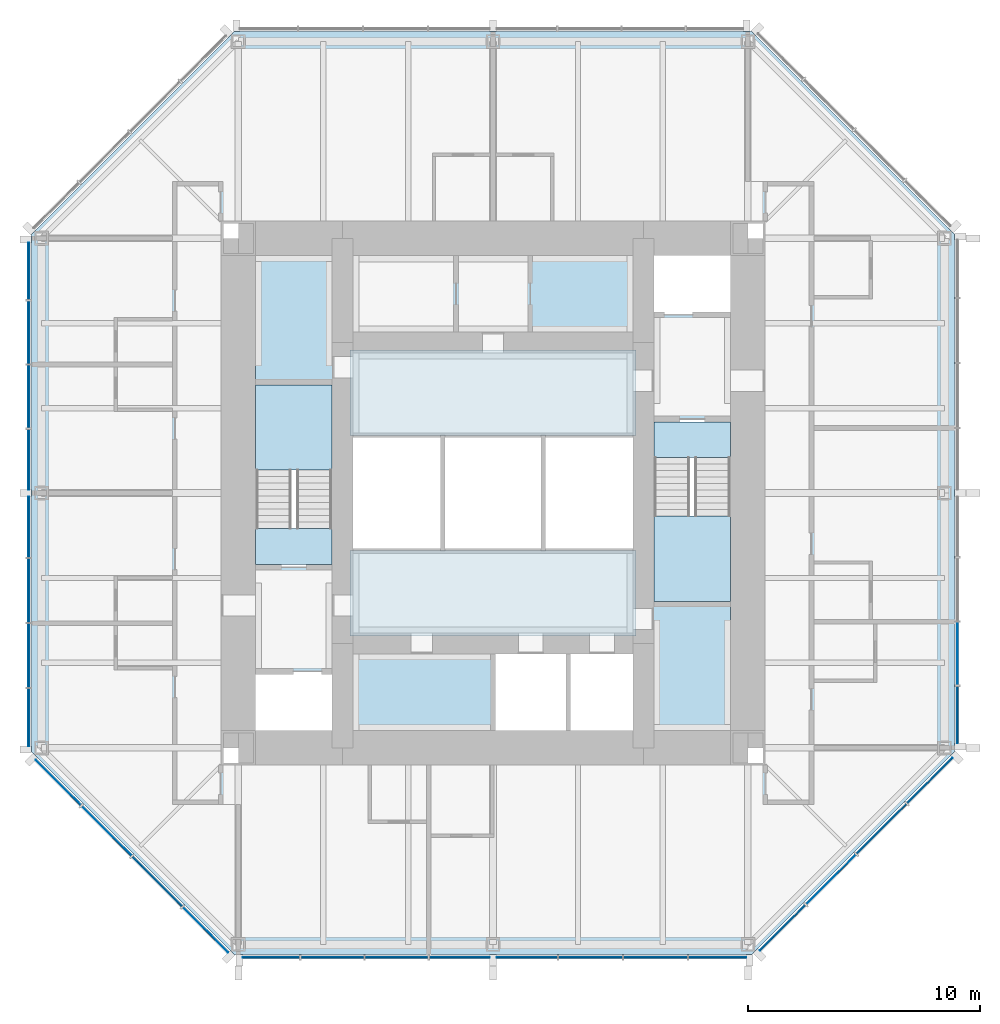
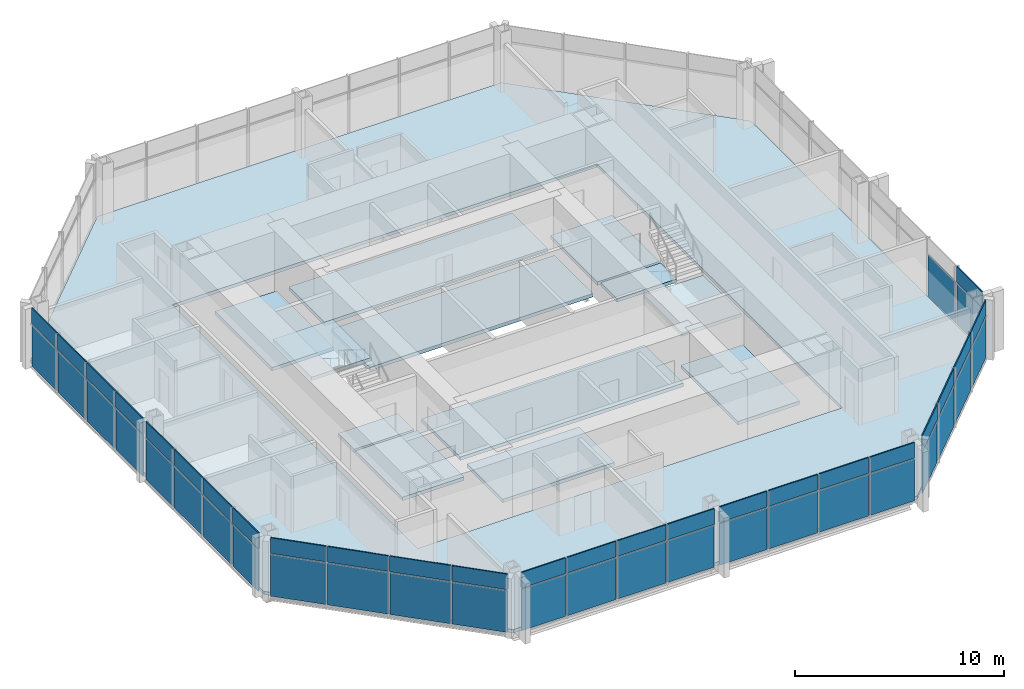
# One storey, part 6 of 11: 51 plates, 13 slabs, 7 elements without a shape of their own.
"""IFC4 building model written with IfcOpenShell, lengths in metres."""

import ifcopenshell
import ifcopenshell.guid

model = None  # the IFC model being written
_history = None  # IfcOwnerHistory: only IFC2X3 demands one
_inside = {}  # id of a spatial element -> (the spatial element, [elements in it])
_under = {}  # id of a project, library or spatial element -> (it, [spatial elements below it])
_declared = {}  # id of a project -> (the project, [libraries it declares])
_typed = {}  # id of a type object -> (the type object, [elements of that type])
_made_of = {}  # id of a material, layer set ... -> (it, [elements and type objects made of it])


def new_model(schema):
    """Start an empty IFC model of exactly this schema.

    Asked for "IFC4X3", IfcOpenShell would pick the latest addendum, in which some entities
    have other attributes; the version numbers below select the first issue.
    IFC2X3 requires an IfcOwnerHistory on every rooted entity: one is made here for all.
    """
    global model, _history
    if schema == "IFC4X3":
        model = ifcopenshell.file(schema_version=(4, 3, 0, 0))
    else:
        model = ifcopenshell.file(schema=schema)
    _inside.clear()
    _under.clear()
    _declared.clear()
    _typed.clear()
    _made_of.clear()
    _history = None
    if model.schema == "IFC2X3":
        org = make("IfcOrganization", Name="unknown")
        user = make(
            "IfcPersonAndOrganization",
            ThePerson=make("IfcPerson", FamilyName="unknown"),
            TheOrganization=org,
        )
        app = make(
            "IfcApplication",
            ApplicationDeveloper=org,
            Version="unknown",
            ApplicationFullName="unknown",
            ApplicationIdentifier="unknown",
        )
        _history = make(
            "IfcOwnerHistory",
            OwningUser=user,
            OwningApplication=app,
            ChangeAction="ADDED",
            CreationDate=0,
        )
    return model


def make(cls, **values):
    """One entity of the class cls with the attributes given. An attribute that is None is left unset."""
    return model.create_entity(
        cls, **{name: value for name, value in values.items() if value is not None}
    )


def rooted(cls, **values):
    """An entity with a GlobalId (a new one), such as an element, a storey or a relation."""
    return make(cls, GlobalId=ifcopenshell.guid.new(), OwnerHistory=_history, **values)


def si_unit(unit_type, name, prefix=None):
    """IfcSIUnit, for example si_unit("LENGTHUNIT", "METRE", prefix="MILLI")."""
    return make("IfcSIUnit", UnitType=unit_type, Prefix=prefix, Name=name)


def assignment(units):
    """IfcUnitAssignment: the units of a project."""
    return None if units is None else make("IfcUnitAssignment", Units=units)


def point(xyz):
    """IfcCartesianPoint."""
    return None if xyz is None else make("IfcCartesianPoint", Coordinates=xyz)


def direction(xyz):
    """IfcDirection."""
    return None if xyz is None else make("IfcDirection", DirectionRatios=xyz)


def frame(location, z_axis=None, x_axis=None):
    """IfcAxis2Placement3D, a coordinate frame: its origin and axes. An axis left out is left unset."""
    return make(
        "IfcAxis2Placement3D",
        Location=point(location),
        Axis=direction(z_axis),
        RefDirection=direction(x_axis),
    )


def frame_2d(location, x_axis=None):
    """IfcAxis2Placement2D, a coordinate frame in the plane: its origin and x axis."""
    return make(
        "IfcAxis2Placement2D", Location=point(location), RefDirection=direction(x_axis)
    )


def origin():
    """The frame at (0, 0, 0) with its axes left unset."""
    return frame((0.0, 0.0, 0.0))


def origin_2d():
    """The frame at (0, 0) in the plane with its x axis left unset."""
    return frame_2d((0.0, 0.0))


def place(relative_to, where):
    """IfcLocalPlacement: puts the frame where relative to a parent placement (None: the world)."""
    return make(
        "IfcLocalPlacement", PlacementRelTo=relative_to, RelativePlacement=where
    )


def context(
    kind, dimensions, precision=None, world=None, true_north=None, identifier=None
):
    """IfcGeometricRepresentationContext, for example the 3D "Model" context."""
    return make(
        "IfcGeometricRepresentationContext",
        ContextIdentifier=identifier,
        ContextType=kind,
        CoordinateSpaceDimension=dimensions,
        Precision=precision,
        WorldCoordinateSystem=world,
        TrueNorth=true_north,
    )


def subcontext(parent, identifier, kind, view, scale=None):
    """IfcGeometricRepresentationSubContext, for example "Body" below "Model"."""
    return make(
        "IfcGeometricRepresentationSubContext",
        ContextIdentifier=identifier,
        ContextType=kind,
        ParentContext=parent,
        TargetScale=scale,
        TargetView=view,
    )


def project(units=None, contexts=None):
    """IfcProject with its units and contexts."""
    return rooted(
        "IfcProject",
        Name="project",
        RepresentationContexts=contexts,
        UnitsInContext=assignment(units),
    )


def spatial(cls, under=None, at=None, **own):
    """A site, building, storey or space (cls), placed at a placement, below another one or the project."""
    s = rooted(cls, ObjectPlacement=at, **own)
    if under is not None:
        _under.setdefault(under.id(), (under, []))[1].append(s)
    return s


def polyline(points):
    """IfcPolyline through the points."""
    return make("IfcPolyline", Points=[point(p) for p in points])


def profile(cls, at=None, kind="AREA", **sizes):
    """A parametric profile (cls). Its sizes go by their IFC names, for example OverallWidth=200.0."""
    return make(cls, ProfileType=kind, Position=at, **sizes)


def rectangle(**sizes):
    """IfcRectangleProfileDef."""
    return profile("IfcRectangleProfileDef", **sizes)


def outline(outer, holes=None, kind="AREA"):
    """IfcArbitraryClosedProfileDef: a profile drawn as a closed curve; with holes, ...WithVoids."""
    if holes is None:
        return make("IfcArbitraryClosedProfileDef", ProfileType=kind, OuterCurve=outer)
    return make(
        "IfcArbitraryProfileDefWithVoids",
        ProfileType=kind,
        OuterCurve=outer,
        InnerCurves=holes,
    )


def extrude(swept, where, along, depth):
    """IfcExtrudedAreaSolid: the profile swept, set in the frame where, extruded along a direction by depth."""
    return make(
        "IfcExtrudedAreaSolid",
        SweptArea=swept,
        Position=where,
        ExtrudedDirection=direction(along),
        Depth=depth,
    )


def shape(context_of_items, identifier, shape_type, items):
    """IfcShapeRepresentation: the items that make up one representation, for example the "Body"."""
    return make(
        "IfcShapeRepresentation",
        ContextOfItems=context_of_items,
        RepresentationIdentifier=identifier,
        RepresentationType=shape_type,
        Items=items,
    )


def material(Name=None, Category=None):
    """IfcMaterial."""
    return make("IfcMaterial", Name=Name, Category=Category)


def layer(
    of_material, thickness, ventilated=None, Name=None, Category=None, Priority=None
):
    """IfcMaterialLayer: one layer of a wall or slab, of a material (None: an air gap)."""
    return make(
        "IfcMaterialLayer",
        Material=of_material,
        LayerThickness=thickness,
        IsVentilated=ventilated,
        Name=Name,
        Category=Category,
        Priority=Priority,
    )


def layer_set(layers, Name=None):
    """IfcMaterialLayerSet."""
    return make("IfcMaterialLayerSet", MaterialLayers=layers, LayerSetName=Name)


def made_of(thing, what):
    """Note that an element or type object is made of a material, layer set ...; save() writes the relation."""
    if what is not None:
        _made_of.setdefault(what.id(), (what, []))[1].append(thing)
    return thing


def type_object(cls, material=None, **own):
    """A type object (cls), such as IfcWallType, which elements share."""
    return made_of(rooted(cls, **own), material)


def element(
    cls,
    number,
    at=None,
    inside=None,
    cuts=None,
    type_object=None,
    material=None,
    context=None,
    identifier="Body",
    shape_type=None,
    held_by="IfcProductDefinitionShape",
    body=None,
    shapes=None,
    **own,
):
    """One element of the class cls, such as IfcWall. Its Tag is "e" and its number.

    at: its placement. inside: the storey or other place that contains it. cuts: it is an
    opening in that element (IfcRelVoidsElement). A single representation is given by context,
    identifier, shape_type and body (its items); several are given by shapes. held_by: the class
    of the entity that holds the representations. save() writes the other relations.
    """
    e = rooted(cls, Tag="e%d" % number, ObjectPlacement=at, **own)
    if body is not None:
        shapes = [shape(context, identifier, shape_type, body)]
    if shapes is not None:
        e.Representation = make(held_by, Representations=shapes)
    if inside is not None:
        _inside.setdefault(inside.id(), (inside, []))[1].append(e)
    if cuts is not None:
        rooted(
            "IfcRelVoidsElement", RelatingBuildingElement=cuts, RelatedOpeningElement=e
        )
    if type_object is not None:
        _typed.setdefault(type_object.id(), (type_object, []))[1].append(e)
    return made_of(e, material)


def aggregate(whole, parts):
    """IfcRelAggregates: a whole, such as a stair, and the parts it consists of."""
    return rooted("IfcRelAggregates", RelatingObject=whole, RelatedObjects=parts)


def save(model, path):
    """Write the relations noted so far, then the file.

    IfcRelAggregates (storeys below a building ...), IfcRelContainedInSpatialStructure (elements
    in a storey), IfcRelDefinesByType, IfcRelAssociatesMaterial and IfcRelDeclares: one each for
    every whole, place, type object, material and project.
    """
    for whole, parts in _under.values():
        aggregate(whole, parts)
    for where, things in _inside.values():
        rooted(
            "IfcRelContainedInSpatialStructure",
            RelatedElements=things,
            RelatingStructure=where,
        )
    for kind, things in _typed.values():
        rooted("IfcRelDefinesByType", RelatedObjects=things, RelatingType=kind)
    for what, things in _made_of.values():
        rooted("IfcRelAssociatesMaterial", RelatedObjects=things, RelatingMaterial=what)
    for by, libraries in _declared.values():
        rooted("IfcRelDeclares", RelatingContext=by, RelatedDefinitions=libraries)
    model.write(path)


model = new_model("IFC4")

# Units and contexts
model_context = context("Model", 3, precision=1e-05, world=origin(), true_north=direction((0.0, 1.0)))
body_context = subcontext(model_context, "Body", "Model", "MODEL_VIEW")
ifc_project = project(units=[si_unit("LENGTHUNIT", "METRE"), si_unit("AREAUNIT", "SQUARE_METRE"), si_unit("VOLUMEUNIT", "CUBIC_METRE"), si_unit("PLANEANGLEUNIT", "RADIAN"), si_unit("MASSUNIT", "GRAM", prefix="KILO")], contexts=[model_context])

# Site, building, storey
site_placement = place(None, origin())
site = spatial("IfcSite", under=ifc_project, at=site_placement, CompositionType="ELEMENT")
building_placement = place(site_placement, origin())
building = spatial("IfcBuilding", under=site, at=building_placement, Name="Trevanion Tower", CompositionType="ELEMENT")
storey_placement = place(building_placement, frame((0.0, 0.0, 229.199951171875)))
storey = spatial("IfcBuildingStorey", under=building, at=storey_placement, Name="L55", CompositionType="ELEMENT", Elevation=229.199951171875)

# Curtain wall, plate
ifc_material_1 = material(Name="Aluminium and glass", Category="aluminium")
curtain_wall_type = type_object("IfcCurtainWallType", Name="CW3 curtain wall", PredefinedType="USERDEFINED", material=ifc_material_1)
curtain_wall_1_placement = place(storey_placement, origin())
curtain_wall_1 = element("IfcCurtainWall", 1, at=curtain_wall_1_placement, inside=storey, type_object=curtain_wall_type, Name="CW3 L55 0", ObjectType="UNITISED CURTAIN WALL", PredefinedType="USERDEFINED")
ifc_material_2 = material(Name="Aluminium spandrel panel", Category="aluminium")
ifc_layer_1 = layer(ifc_material_2, 0.06005859375)
ifc_layer_set_1 = layer_set([ifc_layer_1], Name="CW3 spandrel panel")
plate_type_1 = type_object("IfcPlateType", Name="CW3 spandrel panel", PredefinedType="CURTAIN_PANEL", material=ifc_layer_set_1)
plate_1_placement = place(storey_placement, frame((20.050048828125, -9.579345703125, 2.3974609375), z_axis=(0.0, 0.0, 1.0), x_axis=(0.0, 1.0, 0.0)))
plate_1 = element("IfcPlate", 2, at=plate_1_placement, type_object=plate_type_1, Name="CW3 panel 1.2", PredefinedType="CURTAIN_PANEL", context=body_context, shape_type="SweptSolid", body=[
    extrude(rectangle(XDim=2.43701171875, YDim=0.06005859375, at=origin_2d()), origin(), (0.0, 0.0, 1.0), 0.91259765625),
])

# Curtain wall, plates
curtain_wall_2_placement = place(storey_placement, origin())
curtain_wall_2 = element("IfcCurtainWall", 3, at=curtain_wall_2_placement, inside=storey, type_object=curtain_wall_type, Name="CW3 L55 4", ObjectType="UNITISED CURTAIN WALL", PredefinedType="USERDEFINED")
plate_2_placement = place(storey_placement, frame((-20.050048828125, 9.579345703125, 2.3974609375), z_axis=(0.0, 0.0, 1.0), x_axis=(0.0, -1.0, 0.0)))
plate_2 = element("IfcPlate", 4, at=plate_2_placement, type_object=plate_type_1, Name="CW3 panel 1.2", PredefinedType="CURTAIN_PANEL", context=body_context, shape_type="SweptSolid", body=[
    extrude(rectangle(XDim=2.43701171875, YDim=0.06005859375, at=origin_2d()), origin(), (0.0, 0.0, 1.0), 0.91259765625),
])
plate_3_placement = place(storey_placement, frame((-20.050048828125, 6.93603515625, 2.3974609375), z_axis=(0.0, 0.0, 1.0), x_axis=(0.0, -1.0, 0.0)))
plate_3 = element("IfcPlate", 5, at=plate_3_placement, type_object=plate_type_1, Name="CW3 panel 2.2", PredefinedType="CURTAIN_PANEL", context=body_context, shape_type="SweptSolid", body=[
    extrude(rectangle(XDim=2.699462890625, YDim=0.06005859375, at=origin_2d()), origin(), (0.0, 0.0, 1.0), 0.91259765625),
])
plate_4_placement = place(storey_placement, frame((-20.050048828125, 4.16162109375, 2.3974609375), z_axis=(0.0, 0.0, 1.0), x_axis=(0.0, -1.0, 0.0)))
plate_4 = element("IfcPlate", 6, at=plate_4_placement, type_object=plate_type_1, Name="CW3 panel 3.2", PredefinedType="CURTAIN_PANEL", context=body_context, shape_type="SweptSolid", body=[
    extrude(rectangle(XDim=2.699462890625, YDim=0.06005859375, at=origin_2d()), origin(), (0.0, 0.0, 1.0), 0.91259765625),
])
plate_5_placement = place(storey_placement, frame((-20.050048828125, 1.443603515625, 2.3974609375), z_axis=(0.0, 0.0, 1.0), x_axis=(0.0, -1.0, 0.0)))
plate_5 = element("IfcPlate", 7, at=plate_5_placement, type_object=plate_type_1, Name="CW3 panel 4.2", PredefinedType="CURTAIN_PANEL", context=body_context, shape_type="SweptSolid", body=[
    extrude(rectangle(XDim=2.5869140625, YDim=0.06005859375, at=origin_2d()), origin(), (0.0, 0.0, 1.0), 0.91259765625),
])
plate_6_placement = place(storey_placement, frame((-20.050048828125, -1.459716796875, 2.3974609375), z_axis=(0.0, 0.0, 1.0), x_axis=(0.0, -1.0, 0.0)))
plate_6 = element("IfcPlate", 8, at=plate_6_placement, type_object=plate_type_1, Name="CW3 panel 5.2", PredefinedType="CURTAIN_PANEL", context=body_context, shape_type="SweptSolid", body=[
    extrude(rectangle(XDim=2.619384765625, YDim=0.06005859375, at=origin_2d()), origin(), (0.0, 0.0, 1.0), 0.91259765625),
])
plate_7_placement = place(storey_placement, frame((-20.050048828125, -4.21044921875, 2.3974609375), z_axis=(0.0, 0.0, 1.0), x_axis=(0.0, -1.0, 0.0)))
plate_7 = element("IfcPlate", 9, at=plate_7_placement, type_object=plate_type_1, Name="CW3 panel 6.2", PredefinedType="CURTAIN_PANEL", context=body_context, shape_type="SweptSolid", body=[
    extrude(rectangle(XDim=2.73193359375, YDim=0.06005859375, at=origin_2d()), origin(), (0.0, 0.0, 1.0), 0.91259765625),
])
plate_8_placement = place(storey_placement, frame((-20.050048828125, -7.017333984375, 2.3974609375), z_axis=(0.0, 0.0, 1.0), x_axis=(0.0, -1.0, 0.0)))
plate_8 = element("IfcPlate", 10, at=plate_8_placement, type_object=plate_type_1, Name="CW3 panel 7.2", PredefinedType="CURTAIN_PANEL", context=body_context, shape_type="SweptSolid", body=[
    extrude(rectangle(XDim=2.73193359375, YDim=0.06005859375, at=origin_2d()), origin(), (0.0, 0.0, 1.0), 0.91259765625),
])
plate_9_placement = place(storey_placement, frame((-20.050048828125, -9.693115234375, 2.3974609375), z_axis=(0.0, 0.0, 1.0), x_axis=(0.0, -1.0, 0.0)))
plate_9 = element("IfcPlate", 11, at=plate_9_placement, type_object=plate_type_1, Name="CW3 panel 8.2", PredefinedType="CURTAIN_PANEL", context=body_context, shape_type="SweptSolid", body=[
    extrude(rectangle(XDim=2.469482421875, YDim=0.06005859375, at=origin_2d()), origin(), (0.0, 0.0, 1.0), 0.91259765625),
])

curtain_wall_3_placement = place(storey_placement, origin())
curtain_wall_3 = element("IfcCurtainWall", 12, at=curtain_wall_3_placement, inside=storey, type_object=curtain_wall_type, Name="CW3 L55 5", ObjectType="UNITISED CURTAIN WALL", PredefinedType="USERDEFINED")
plate_10_placement = place(storey_placement, frame((-18.77392578125, -12.50390625, 2.3974609375), z_axis=(0.0, 0.0, 1.0), x_axis=(0.707106781187, -0.707106781187, 0.0)))
plate_10 = element("IfcPlate", 13, at=plate_10_placement, type_object=plate_type_1, Name="CW3 panel 1.2", PredefinedType="CURTAIN_PANEL", context=body_context, shape_type="SweptSolid", body=[
    extrude(rectangle(XDim=2.7490234375, YDim=0.06005859375, at=origin_2d()), origin(), (0.0, 0.0, 1.0), 0.91259765625),
])
plate_11_placement = place(storey_placement, frame((-16.68408203125, -14.593505859375, 2.3974609375), z_axis=(0.0, 0.0, 1.0), x_axis=(0.707106781187, -0.707106781187, 0.0)))
plate_11 = element("IfcPlate", 14, at=plate_11_placement, type_object=plate_type_1, Name="CW3 panel 2.2", PredefinedType="CURTAIN_PANEL", context=body_context, shape_type="SweptSolid", body=[
    extrude(rectangle(XDim=3.01171875, YDim=0.06005859375, at=origin_2d()), origin(), (0.0, 0.0, 1.0), 0.91259765625),
])
plate_12_placement = place(storey_placement, frame((-14.501708984375, -16.776123046875, 2.3974609375), z_axis=(0.0, 0.0, 1.0), x_axis=(0.707106781187, -0.707106781187, 0.0)))
plate_12 = element("IfcPlate", 15, at=plate_12_placement, type_object=plate_type_1, Name="CW3 panel 3.2", PredefinedType="CURTAIN_PANEL", context=body_context, shape_type="SweptSolid", body=[
    extrude(rectangle(XDim=3.01171875, YDim=0.06005859375, at=origin_2d()), origin(), (0.0, 0.0, 1.0), 0.91259765625),
])
plate_13_placement = place(storey_placement, frame((-12.411865234375, -18.865966796875, 2.3974609375), z_axis=(0.0, 0.0, 1.0), x_axis=(0.707106781187, -0.707106781187, 0.0)))
plate_13 = element("IfcPlate", 16, at=plate_13_placement, type_object=plate_type_1, Name="CW3 panel 4.2", PredefinedType="CURTAIN_PANEL", context=body_context, shape_type="SweptSolid", body=[
    extrude(rectangle(XDim=2.7490234375, YDim=0.06005859375, at=origin_2d()), origin(), (0.0, 0.0, 1.0), 0.91259765625),
])

curtain_wall_4_placement = place(storey_placement, origin())
curtain_wall_4 = element("IfcCurtainWall", 17, at=curtain_wall_4_placement, inside=storey, type_object=curtain_wall_type, Name="CW3 L55 6", ObjectType="UNITISED CURTAIN WALL", PredefinedType="USERDEFINED")
plate_14_placement = place(storey_placement, frame((-9.579345703125, -20.050048828125, 2.3974609375), z_axis=(0.0, 0.0, 1.0), x_axis=(1.0, 0.0, 0.0)))
plate_14 = element("IfcPlate", 18, at=plate_14_placement, type_object=plate_type_1, Name="CW3 panel 1.2", PredefinedType="CURTAIN_PANEL", context=body_context, shape_type="SweptSolid", body=[
    extrude(rectangle(XDim=2.43701171875, YDim=0.06005859375, at=origin_2d()), origin(), (0.0, 0.0, 1.0), 0.91259765625),
])
plate_15_placement = place(storey_placement, frame((-6.93603515625, -20.050048828125, 2.3974609375), z_axis=(0.0, 0.0, 1.0), x_axis=(1.0, 0.0, 0.0)))
plate_15 = element("IfcPlate", 19, at=plate_15_placement, type_object=plate_type_1, Name="CW3 panel 2.2", PredefinedType="CURTAIN_PANEL", context=body_context, shape_type="SweptSolid", body=[
    extrude(rectangle(XDim=2.699462890625, YDim=0.06005859375, at=origin_2d()), origin(), (0.0, 0.0, 1.0), 0.91259765625),
])
plate_16_placement = place(storey_placement, frame((-4.16162109375, -20.050048828125, 2.3974609375), z_axis=(0.0, 0.0, 1.0), x_axis=(1.0, 0.0, 0.0)))
plate_16 = element("IfcPlate", 20, at=plate_16_placement, type_object=plate_type_1, Name="CW3 panel 3.2", PredefinedType="CURTAIN_PANEL", context=body_context, shape_type="SweptSolid", body=[
    extrude(rectangle(XDim=2.699462890625, YDim=0.06005859375, at=origin_2d()), origin(), (0.0, 0.0, 1.0), 0.91259765625),
])
plate_17_placement = place(storey_placement, frame((-1.443603515625, -20.050048828125, 2.3974609375), z_axis=(0.0, 0.0, 1.0), x_axis=(1.0, 0.0, 0.0)))
plate_17 = element("IfcPlate", 21, at=plate_17_placement, type_object=plate_type_1, Name="CW3 panel 4.2", PredefinedType="CURTAIN_PANEL", context=body_context, shape_type="SweptSolid", body=[
    extrude(rectangle(XDim=2.5869140625, YDim=0.06005859375, at=origin_2d()), origin(), (0.0, 0.0, 1.0), 0.91259765625),
])
plate_18_placement = place(storey_placement, frame((1.459716796875, -20.050048828125, 2.3974609375), z_axis=(0.0, 0.0, 1.0), x_axis=(1.0, 0.0, 0.0)))
plate_18 = element("IfcPlate", 22, at=plate_18_placement, type_object=plate_type_1, Name="CW3 panel 5.2", PredefinedType="CURTAIN_PANEL", context=body_context, shape_type="SweptSolid", body=[
    extrude(rectangle(XDim=2.619384765625, YDim=0.06005859375, at=origin_2d()), origin(), (0.0, 0.0, 1.0), 0.91259765625),
])
plate_19_placement = place(storey_placement, frame((4.21044921875, -20.050048828125, 2.3974609375), z_axis=(0.0, 0.0, 1.0), x_axis=(1.0, 0.0, 0.0)))
plate_19 = element("IfcPlate", 23, at=plate_19_placement, type_object=plate_type_1, Name="CW3 panel 6.2", PredefinedType="CURTAIN_PANEL", context=body_context, shape_type="SweptSolid", body=[
    extrude(rectangle(XDim=2.73193359375, YDim=0.06005859375, at=origin_2d()), origin(), (0.0, 0.0, 1.0), 0.91259765625),
])
plate_20_placement = place(storey_placement, frame((7.017333984375, -20.050048828125, 2.3974609375), z_axis=(0.0, 0.0, 1.0), x_axis=(1.0, 0.0, 0.0)))
plate_20 = element("IfcPlate", 24, at=plate_20_placement, type_object=plate_type_1, Name="CW3 panel 7.2", PredefinedType="CURTAIN_PANEL", context=body_context, shape_type="SweptSolid", body=[
    extrude(rectangle(XDim=2.73193359375, YDim=0.06005859375, at=origin_2d()), origin(), (0.0, 0.0, 1.0), 0.91259765625),
])
plate_21_placement = place(storey_placement, frame((9.693115234375, -20.050048828125, 2.3974609375), z_axis=(0.0, 0.0, 1.0), x_axis=(1.0, 0.0, 0.0)))
plate_21 = element("IfcPlate", 25, at=plate_21_placement, type_object=plate_type_1, Name="CW3 panel 8.2", PredefinedType="CURTAIN_PANEL", context=body_context, shape_type="SweptSolid", body=[
    extrude(rectangle(XDim=2.469482421875, YDim=0.06005859375, at=origin_2d()), origin(), (0.0, 0.0, 1.0), 0.91259765625),
])

curtain_wall_5_placement = place(storey_placement, origin())
curtain_wall_5 = element("IfcCurtainWall", 26, at=curtain_wall_5_placement, inside=storey, type_object=curtain_wall_type, Name="CW3 L55 7", ObjectType="UNITISED CURTAIN WALL", PredefinedType="USERDEFINED")
plate_22_placement = place(storey_placement, frame((12.50390625, -18.77392578125, 2.3974609375), z_axis=(0.0, 0.0, 1.0), x_axis=(0.707106781187, 0.707106781187, 0.0)))
plate_22 = element("IfcPlate", 27, at=plate_22_placement, type_object=plate_type_1, Name="CW3 panel 1.2", PredefinedType="CURTAIN_PANEL", context=body_context, shape_type="SweptSolid", body=[
    extrude(rectangle(XDim=2.7490234375, YDim=0.06005859375, at=origin_2d()), origin(), (0.0, 0.0, 1.0), 0.91259765625),
])
plate_23_placement = place(storey_placement, frame((14.593505859375, -16.68408203125, 2.3974609375), z_axis=(0.0, 0.0, 1.0), x_axis=(0.707106781187, 0.707106781187, 0.0)))
plate_23 = element("IfcPlate", 28, at=plate_23_placement, type_object=plate_type_1, Name="CW3 panel 2.2", PredefinedType="CURTAIN_PANEL", context=body_context, shape_type="SweptSolid", body=[
    extrude(rectangle(XDim=3.01171875, YDim=0.06005859375, at=origin_2d()), origin(), (0.0, 0.0, 1.0), 0.91259765625),
])
plate_24_placement = place(storey_placement, frame((16.776123046875, -14.501708984375, 2.3974609375), z_axis=(0.0, 0.0, 1.0), x_axis=(0.707106781187, 0.707106781187, 0.0)))
plate_24 = element("IfcPlate", 29, at=plate_24_placement, type_object=plate_type_1, Name="CW3 panel 3.2", PredefinedType="CURTAIN_PANEL", context=body_context, shape_type="SweptSolid", body=[
    extrude(rectangle(XDim=3.01171875, YDim=0.06005859375, at=origin_2d()), origin(), (0.0, 0.0, 1.0), 0.91259765625),
])
plate_25_placement = place(storey_placement, frame((18.865966796875, -12.411865234375, 2.3974609375), z_axis=(0.0, 0.0, 1.0), x_axis=(0.707106781187, 0.707106781187, 0.0)))
plate_25 = element("IfcPlate", 30, at=plate_25_placement, type_object=plate_type_1, Name="CW3 panel 4.2", PredefinedType="CURTAIN_PANEL", context=body_context, shape_type="SweptSolid", body=[
    extrude(rectangle(XDim=2.7490234375, YDim=0.06005859375, at=origin_2d()), origin(), (0.0, 0.0, 1.0), 0.91259765625),
])

# Plate
ifc_material_3 = material(Name="Insulating glass unit", Category="glass")
ifc_layer_2 = layer(ifc_material_3, 0.028076171875)
ifc_layer_set_2 = layer_set([ifc_layer_2], Name="CW3 vision panel")
plate_type_2 = type_object("IfcPlateType", Name="CW3 vision panel", PredefinedType="CURTAIN_PANEL", material=ifc_layer_set_2)
plate_26_placement = place(storey_placement, frame((20.050048828125, -9.579345703125, -0.114990234375), z_axis=(0.0, 0.0, 1.0), x_axis=(0.0, 1.0, 0.0)))
plate_26 = element("IfcPlate", 31, at=plate_26_placement, type_object=plate_type_2, Name="CW3 panel 1.1", PredefinedType="CURTAIN_PANEL", context=body_context, shape_type="SweptSolid", body=[
    extrude(rectangle(XDim=2.43701171875, YDim=0.028076171875, at=origin_2d()), origin(), (0.0, 0.0, 1.0), 2.4375),
])

plate_27_placement = place(storey_placement, frame((20.050048828125, -6.93603515625, -0.114990234375), z_axis=(0.0, 0.0, 1.0), x_axis=(0.0, 1.0, 0.0)))
plate_27 = element("IfcPlate", 32, at=plate_27_placement, type_object=plate_type_2, Name="CW3 panel 2.1", PredefinedType="CURTAIN_PANEL", context=body_context, shape_type="SweptSolid", body=[
    extrude(rectangle(XDim=2.699462890625, YDim=0.028076171875, at=origin_2d()), origin(), (0.0, 0.0, 1.0), 2.4375),
])

aggregate(curtain_wall_1, [plate_26, plate_1, plate_27])

plate_28_placement = place(storey_placement, frame((-20.050048828125, 9.579345703125, -0.114990234375), z_axis=(0.0, 0.0, 1.0), x_axis=(0.0, -1.0, 0.0)))
plate_28 = element("IfcPlate", 33, at=plate_28_placement, type_object=plate_type_2, Name="CW3 panel 1.1", PredefinedType="CURTAIN_PANEL", context=body_context, shape_type="SweptSolid", body=[
    extrude(rectangle(XDim=2.43701171875, YDim=0.028076171875, at=origin_2d()), origin(), (0.0, 0.0, 1.0), 2.4375),
])

plate_29_placement = place(storey_placement, frame((-20.050048828125, 6.93603515625, -0.114990234375), z_axis=(0.0, 0.0, 1.0), x_axis=(0.0, -1.0, 0.0)))
plate_29 = element("IfcPlate", 34, at=plate_29_placement, type_object=plate_type_2, Name="CW3 panel 2.1", PredefinedType="CURTAIN_PANEL", context=body_context, shape_type="SweptSolid", body=[
    extrude(rectangle(XDim=2.699462890625, YDim=0.028076171875, at=origin_2d()), origin(), (0.0, 0.0, 1.0), 2.4375),
])

plate_30_placement = place(storey_placement, frame((-20.050048828125, 4.16162109375, -0.114990234375), z_axis=(0.0, 0.0, 1.0), x_axis=(0.0, -1.0, 0.0)))
plate_30 = element("IfcPlate", 35, at=plate_30_placement, type_object=plate_type_2, Name="CW3 panel 3.1", PredefinedType="CURTAIN_PANEL", context=body_context, shape_type="SweptSolid", body=[
    extrude(rectangle(XDim=2.699462890625, YDim=0.028076171875, at=origin_2d()), origin(), (0.0, 0.0, 1.0), 2.4375),
])

plate_31_placement = place(storey_placement, frame((-20.050048828125, 1.443603515625, -0.114990234375), z_axis=(0.0, 0.0, 1.0), x_axis=(0.0, -1.0, 0.0)))
plate_31 = element("IfcPlate", 36, at=plate_31_placement, type_object=plate_type_2, Name="CW3 panel 4.1", PredefinedType="CURTAIN_PANEL", context=body_context, shape_type="SweptSolid", body=[
    extrude(rectangle(XDim=2.5869140625, YDim=0.028076171875, at=origin_2d()), origin(), (0.0, 0.0, 1.0), 2.4375),
])

plate_32_placement = place(storey_placement, frame((-20.050048828125, -1.459716796875, -0.114990234375), z_axis=(0.0, 0.0, 1.0), x_axis=(0.0, -1.0, 0.0)))
plate_32 = element("IfcPlate", 37, at=plate_32_placement, type_object=plate_type_2, Name="CW3 panel 5.1", PredefinedType="CURTAIN_PANEL", context=body_context, shape_type="SweptSolid", body=[
    extrude(rectangle(XDim=2.619384765625, YDim=0.028076171875, at=origin_2d()), origin(), (0.0, 0.0, 1.0), 2.4375),
])

plate_33_placement = place(storey_placement, frame((-20.050048828125, -4.21044921875, -0.114990234375), z_axis=(0.0, 0.0, 1.0), x_axis=(0.0, -1.0, 0.0)))
plate_33 = element("IfcPlate", 38, at=plate_33_placement, type_object=plate_type_2, Name="CW3 panel 6.1", PredefinedType="CURTAIN_PANEL", context=body_context, shape_type="SweptSolid", body=[
    extrude(rectangle(XDim=2.73193359375, YDim=0.028076171875, at=origin_2d()), origin(), (0.0, 0.0, 1.0), 2.4375),
])

plate_34_placement = place(storey_placement, frame((-20.050048828125, -7.017333984375, -0.114990234375), z_axis=(0.0, 0.0, 1.0), x_axis=(0.0, -1.0, 0.0)))
plate_34 = element("IfcPlate", 39, at=plate_34_placement, type_object=plate_type_2, Name="CW3 panel 7.1", PredefinedType="CURTAIN_PANEL", context=body_context, shape_type="SweptSolid", body=[
    extrude(rectangle(XDim=2.73193359375, YDim=0.028076171875, at=origin_2d()), origin(), (0.0, 0.0, 1.0), 2.4375),
])

plate_35_placement = place(storey_placement, frame((-20.050048828125, -9.693115234375, -0.114990234375), z_axis=(0.0, 0.0, 1.0), x_axis=(0.0, -1.0, 0.0)))
plate_35 = element("IfcPlate", 40, at=plate_35_placement, type_object=plate_type_2, Name="CW3 panel 8.1", PredefinedType="CURTAIN_PANEL", context=body_context, shape_type="SweptSolid", body=[
    extrude(rectangle(XDim=2.469482421875, YDim=0.028076171875, at=origin_2d()), origin(), (0.0, 0.0, 1.0), 2.4375),
])

aggregate(curtain_wall_2, [plate_28, plate_2, plate_29, plate_3, plate_30, plate_4, plate_31, plate_5, plate_32, plate_6, plate_33, plate_7, plate_34, plate_8, plate_35, plate_9])

plate_36_placement = place(storey_placement, frame((-18.77392578125, -12.50390625, -0.114990234375), z_axis=(0.0, 0.0, 1.0), x_axis=(0.707106781187, -0.707106781187, 0.0)))
plate_36 = element("IfcPlate", 41, at=plate_36_placement, type_object=plate_type_2, Name="CW3 panel 1.1", PredefinedType="CURTAIN_PANEL", context=body_context, shape_type="SweptSolid", body=[
    extrude(rectangle(XDim=2.7490234375, YDim=0.028076171875, at=origin_2d()), origin(), (0.0, 0.0, 1.0), 2.4375),
])

plate_37_placement = place(storey_placement, frame((-16.68408203125, -14.593505859375, -0.114990234375), z_axis=(0.0, 0.0, 1.0), x_axis=(0.707106781187, -0.707106781187, 0.0)))
plate_37 = element("IfcPlate", 42, at=plate_37_placement, type_object=plate_type_2, Name="CW3 panel 2.1", PredefinedType="CURTAIN_PANEL", context=body_context, shape_type="SweptSolid", body=[
    extrude(rectangle(XDim=3.01171875, YDim=0.028076171875, at=origin_2d()), origin(), (0.0, 0.0, 1.0), 2.4375),
])

plate_38_placement = place(storey_placement, frame((-14.501708984375, -16.776123046875, -0.114990234375), z_axis=(0.0, 0.0, 1.0), x_axis=(0.707106781187, -0.707106781187, 0.0)))
plate_38 = element("IfcPlate", 43, at=plate_38_placement, type_object=plate_type_2, Name="CW3 panel 3.1", PredefinedType="CURTAIN_PANEL", context=body_context, shape_type="SweptSolid", body=[
    extrude(rectangle(XDim=3.01171875, YDim=0.028076171875, at=origin_2d()), origin(), (0.0, 0.0, 1.0), 2.4375),
])

plate_39_placement = place(storey_placement, frame((-12.411865234375, -18.865966796875, -0.114990234375), z_axis=(0.0, 0.0, 1.0), x_axis=(0.707106781187, -0.707106781187, 0.0)))
plate_39 = element("IfcPlate", 44, at=plate_39_placement, type_object=plate_type_2, Name="CW3 panel 4.1", PredefinedType="CURTAIN_PANEL", context=body_context, shape_type="SweptSolid", body=[
    extrude(rectangle(XDim=2.7490234375, YDim=0.028076171875, at=origin_2d()), origin(), (0.0, 0.0, 1.0), 2.4375),
])

aggregate(curtain_wall_3, [plate_36, plate_10, plate_37, plate_11, plate_38, plate_12, plate_39, plate_13])

plate_40_placement = place(storey_placement, frame((-9.579345703125, -20.050048828125, -0.114990234375), z_axis=(0.0, 0.0, 1.0), x_axis=(1.0, 0.0, 0.0)))
plate_40 = element("IfcPlate", 45, at=plate_40_placement, type_object=plate_type_2, Name="CW3 panel 1.1", PredefinedType="CURTAIN_PANEL", context=body_context, shape_type="SweptSolid", body=[
    extrude(rectangle(XDim=2.43701171875, YDim=0.028076171875, at=origin_2d()), origin(), (0.0, 0.0, 1.0), 2.4375),
])

plate_41_placement = place(storey_placement, frame((-6.93603515625, -20.050048828125, -0.114990234375), z_axis=(0.0, 0.0, 1.0), x_axis=(1.0, 0.0, 0.0)))
plate_41 = element("IfcPlate", 46, at=plate_41_placement, type_object=plate_type_2, Name="CW3 panel 2.1", PredefinedType="CURTAIN_PANEL", context=body_context, shape_type="SweptSolid", body=[
    extrude(rectangle(XDim=2.699462890625, YDim=0.028076171875, at=origin_2d()), origin(), (0.0, 0.0, 1.0), 2.4375),
])

plate_42_placement = place(storey_placement, frame((-4.16162109375, -20.050048828125, -0.114990234375), z_axis=(0.0, 0.0, 1.0), x_axis=(1.0, 0.0, 0.0)))
plate_42 = element("IfcPlate", 47, at=plate_42_placement, type_object=plate_type_2, Name="CW3 panel 3.1", PredefinedType="CURTAIN_PANEL", context=body_context, shape_type="SweptSolid", body=[
    extrude(rectangle(XDim=2.699462890625, YDim=0.028076171875, at=origin_2d()), origin(), (0.0, 0.0, 1.0), 2.4375),
])

plate_43_placement = place(storey_placement, frame((-1.443603515625, -20.050048828125, -0.114990234375), z_axis=(0.0, 0.0, 1.0), x_axis=(1.0, 0.0, 0.0)))
plate_43 = element("IfcPlate", 48, at=plate_43_placement, type_object=plate_type_2, Name="CW3 panel 4.1", PredefinedType="CURTAIN_PANEL", context=body_context, shape_type="SweptSolid", body=[
    extrude(rectangle(XDim=2.5869140625, YDim=0.028076171875, at=origin_2d()), origin(), (0.0, 0.0, 1.0), 2.4375),
])

plate_44_placement = place(storey_placement, frame((1.459716796875, -20.050048828125, -0.114990234375), z_axis=(0.0, 0.0, 1.0), x_axis=(1.0, 0.0, 0.0)))
plate_44 = element("IfcPlate", 49, at=plate_44_placement, type_object=plate_type_2, Name="CW3 panel 5.1", PredefinedType="CURTAIN_PANEL", context=body_context, shape_type="SweptSolid", body=[
    extrude(rectangle(XDim=2.619384765625, YDim=0.028076171875, at=origin_2d()), origin(), (0.0, 0.0, 1.0), 2.4375),
])

plate_45_placement = place(storey_placement, frame((4.21044921875, -20.050048828125, -0.114990234375), z_axis=(0.0, 0.0, 1.0), x_axis=(1.0, 0.0, 0.0)))
plate_45 = element("IfcPlate", 50, at=plate_45_placement, type_object=plate_type_2, Name="CW3 panel 6.1", PredefinedType="CURTAIN_PANEL", context=body_context, shape_type="SweptSolid", body=[
    extrude(rectangle(XDim=2.73193359375, YDim=0.028076171875, at=origin_2d()), origin(), (0.0, 0.0, 1.0), 2.4375),
])

plate_46_placement = place(storey_placement, frame((7.017333984375, -20.050048828125, -0.114990234375), z_axis=(0.0, 0.0, 1.0), x_axis=(1.0, 0.0, 0.0)))
plate_46 = element("IfcPlate", 51, at=plate_46_placement, type_object=plate_type_2, Name="CW3 panel 7.1", PredefinedType="CURTAIN_PANEL", context=body_context, shape_type="SweptSolid", body=[
    extrude(rectangle(XDim=2.73193359375, YDim=0.028076171875, at=origin_2d()), origin(), (0.0, 0.0, 1.0), 2.4375),
])

plate_47_placement = place(storey_placement, frame((9.693115234375, -20.050048828125, -0.114990234375), z_axis=(0.0, 0.0, 1.0), x_axis=(1.0, 0.0, 0.0)))
plate_47 = element("IfcPlate", 52, at=plate_47_placement, type_object=plate_type_2, Name="CW3 panel 8.1", PredefinedType="CURTAIN_PANEL", context=body_context, shape_type="SweptSolid", body=[
    extrude(rectangle(XDim=2.469482421875, YDim=0.028076171875, at=origin_2d()), origin(), (0.0, 0.0, 1.0), 2.4375),
])

aggregate(curtain_wall_4, [plate_40, plate_14, plate_41, plate_15, plate_42, plate_16, plate_43, plate_17, plate_44, plate_18, plate_45, plate_19, plate_46, plate_20, plate_47, plate_21])

plate_48_placement = place(storey_placement, frame((12.50390625, -18.77392578125, -0.114990234375), z_axis=(0.0, 0.0, 1.0), x_axis=(0.707106781187, 0.707106781187, 0.0)))
plate_48 = element("IfcPlate", 53, at=plate_48_placement, type_object=plate_type_2, Name="CW3 panel 1.1", PredefinedType="CURTAIN_PANEL", context=body_context, shape_type="SweptSolid", body=[
    extrude(rectangle(XDim=2.7490234375, YDim=0.028076171875, at=origin_2d()), origin(), (0.0, 0.0, 1.0), 2.4375),
])

plate_49_placement = place(storey_placement, frame((14.593505859375, -16.68408203125, -0.114990234375), z_axis=(0.0, 0.0, 1.0), x_axis=(0.707106781187, 0.707106781187, 0.0)))
plate_49 = element("IfcPlate", 54, at=plate_49_placement, type_object=plate_type_2, Name="CW3 panel 2.1", PredefinedType="CURTAIN_PANEL", context=body_context, shape_type="SweptSolid", body=[
    extrude(rectangle(XDim=3.01171875, YDim=0.028076171875, at=origin_2d()), origin(), (0.0, 0.0, 1.0), 2.4375),
])

plate_50_placement = place(storey_placement, frame((16.776123046875, -14.501708984375, -0.114990234375), z_axis=(0.0, 0.0, 1.0), x_axis=(0.707106781187, 0.707106781187, 0.0)))
plate_50 = element("IfcPlate", 55, at=plate_50_placement, type_object=plate_type_2, Name="CW3 panel 3.1", PredefinedType="CURTAIN_PANEL", context=body_context, shape_type="SweptSolid", body=[
    extrude(rectangle(XDim=3.01171875, YDim=0.028076171875, at=origin_2d()), origin(), (0.0, 0.0, 1.0), 2.4375),
])

plate_51_placement = place(storey_placement, frame((18.865966796875, -12.411865234375, -0.114990234375), z_axis=(0.0, 0.0, 1.0), x_axis=(0.707106781187, 0.707106781187, 0.0)))
plate_51 = element("IfcPlate", 56, at=plate_51_placement, type_object=plate_type_2, Name="CW3 panel 4.1", PredefinedType="CURTAIN_PANEL", context=body_context, shape_type="SweptSolid", body=[
    extrude(rectangle(XDim=2.7490234375, YDim=0.028076171875, at=origin_2d()), origin(), (0.0, 0.0, 1.0), 2.4375),
])

aggregate(curtain_wall_5, [plate_48, plate_22, plate_49, plate_23, plate_50, plate_24, plate_51, plate_25])

# Slabs
ifc_material_4 = material(Name="Concrete 5,000 psi on composite metal deck", Category="concrete")
ifc_layer_3 = layer(ifc_material_4, 0.18994140625)
ifc_layer_set_3 = layer_set([ifc_layer_3], Name="SL1 composite floor 190")
slab_type_1 = type_object("IfcSlabType", Name="SL1 composite floor 190", PredefinedType="FLOOR", material=ifc_layer_set_3)
slab_1_placement = place(storey_placement, frame((0.0, 0.0, -0.18994140625)))
element("IfcSlab", 57, at=slab_1_placement, inside=storey, type_object=slab_type_1, Name="SL1 L55 floor", PredefinedType="FLOOR", context=body_context, shape_type="SweptSolid", body=[
    extrude(outline(polyline([(19.919921875, -11.174072265625), (19.919921875, 11.174072265625), (11.174072265625, 19.919921875), (-11.174072265625, 19.919921875), (-19.919921875, 11.174072265625), (-19.919921875, -11.174072265625), (-11.174072265625, -19.919921875), (11.174072265625, -19.919921875), (19.919921875, -11.174072265625)]), holes=[polyline([(11.75, -11.75), (11.75, 11.75), (-11.75, 11.75), (-11.75, -11.75), (11.75, -11.75)])]), origin(), (0.0, 0.0, 1.0), 0.18994140625),
])
ifc_material_5 = material(Name="Concrete 5,000 psi", Category="concrete")
ifc_layer_4 = layer(ifc_material_5, 0.199951171875)
ifc_layer_set_4 = layer_set([ifc_layer_4], Name="SL2 core floor 200")
slab_type_2 = type_object("IfcSlabType", Name="SL2 core floor 200", PredefinedType="FLOOR", material=ifc_layer_set_4)
slab_2_placement = place(storey_placement, frame((0.0, 0.0, -0.199951171875)))
element("IfcSlab", 58, at=slab_2_placement, inside=storey, type_object=slab_type_2, Name="SL2 L55 core floor 1", PredefinedType="FLOOR", context=body_context, shape_type="SweptSolid", body=[
    extrude(outline(polyline([(0.02001953125, -10.25), (-6.169921875, -10.25), (-6.169921875, -6.830078125), (0.02001953125, -6.830078125), (0.02001953125, -10.25)])), origin(), (0.0, 0.0, 1.0), 0.199951171875),
])
slab_3_placement = place(storey_placement, frame((0.0, 0.0, -0.199951171875)))
element("IfcSlab", 59, at=slab_3_placement, inside=storey, type_object=slab_type_2, Name="SL2 L55 core floor 2", PredefinedType="FLOOR", context=body_context, shape_type="SweptSolid", body=[
    extrude(outline(polyline([(6.830078125, -4.804931640625), (10.25, -4.804931640625), (10.25, -10.25), (6.830078125, -10.25), (6.830078125, -4.804931640625)])), origin(), (0.0, 0.0, 1.0), 0.199951171875),
])
slab_4_placement = place(storey_placement, frame((0.0, 0.0, -0.199951171875)))
element("IfcSlab", 60, at=slab_4_placement, inside=storey, type_object=slab_type_2, Name="SL2 L55 core floor 3", PredefinedType="FLOOR", context=body_context, shape_type="SweptSolid", body=[
    extrude(outline(polyline([(-6.830078125, -3.205078125), (-6.830078125, -7.695068359375), (-10.25, -7.695068359375), (-10.25, -3.205078125), (-6.830078125, -3.205078125)])), origin(), (0.0, 0.0, 1.0), 0.199951171875),
])
slab_5_placement = place(storey_placement, frame((0.0, 0.0, -0.199951171875)))
element("IfcSlab", 61, at=slab_5_placement, inside=storey, type_object=slab_type_2, Name="SL2 L55 core floor 4", PredefinedType="FLOOR", context=body_context, shape_type="SweptSolid", body=[
    extrude(outline(polyline([(6.169921875, -6.169921875), (-6.169921875, -6.169921875), (-6.169921875, -2.47998046875), (6.169921875, -2.47998046875), (6.169921875, -6.169921875)])), origin(), (0.0, 0.0, 1.0), 0.199951171875),
])
slab_6_placement = place(storey_placement, frame((0.0, 0.0, -0.199951171875)))
element("IfcSlab", 62, at=slab_6_placement, inside=storey, type_object=slab_type_2, Name="SL2 L55 core floor 5", PredefinedType="FLOOR", context=body_context, shape_type="SweptSolid", body=[
    extrude(outline(polyline([(6.169921875, 2.47998046875), (-6.169921875, 2.47998046875), (-6.169921875, 6.169921875), (6.169921875, 6.169921875), (6.169921875, 2.47998046875)])), origin(), (0.0, 0.0, 1.0), 0.199951171875),
])
slab_7_placement = place(storey_placement, frame((0.0, 0.0, -0.199951171875)))
element("IfcSlab", 63, at=slab_7_placement, inside=storey, type_object=slab_type_2, Name="SL2 L55 core floor 6", PredefinedType="FLOOR", context=body_context, shape_type="SweptSolid", body=[
    extrude(outline(polyline([(6.830078125, 3.205078125), (6.830078125, 7.695068359375), (10.25, 7.695068359375), (10.25, 3.205078125), (6.830078125, 3.205078125)])), origin(), (0.0, 0.0, 1.0), 0.199951171875),
])
slab_8_placement = place(storey_placement, frame((0.0, 0.0, -0.199951171875)))
element("IfcSlab", 64, at=slab_8_placement, inside=storey, type_object=slab_type_2, Name="SL2 L55 core floor 7", PredefinedType="FLOOR", context=body_context, shape_type="SweptSolid", body=[
    extrude(outline(polyline([(-6.830078125, 4.804931640625), (-10.25, 4.804931640625), (-10.25, 10.25), (-6.830078125, 10.25), (-6.830078125, 4.804931640625)])), origin(), (0.0, 0.0, 1.0), 0.199951171875),
])
slab_9_placement = place(storey_placement, frame((0.0, 0.0, -0.199951171875)))
element("IfcSlab", 65, at=slab_9_placement, inside=storey, type_object=slab_type_2, Name="SL2 L55 core floor 8", PredefinedType="FLOOR", context=body_context, shape_type="SweptSolid", body=[
    extrude(outline(polyline([(6.169921875, 6.830078125), (-6.169921875, 6.830078125), (-6.169921875, 10.25), (6.169921875, 10.25), (6.169921875, 6.830078125)])), origin(), (0.0, 0.0, 1.0), 0.199951171875),
])

# Stair, slabs
ifc_material_6 = material(Name="Concrete 5,000 psi on steel stringers", Category="concrete")
stair_type = type_object("IfcStairType", Name="ST stair", PredefinedType="HALF_TURN_STAIR", material=ifc_material_6)
stair_1_placement = place(storey_placement, origin())
stair_1 = element("IfcStair", 66, at=stair_1_placement, inside=storey, type_object=stair_type, Name="ST1 L55", PredefinedType="HALF_TURN_STAIR")
ifc_material_7 = material(Name="Concrete 5,000 psi in steel pan", Category="concrete")
ifc_layer_5 = layer(ifc_material_7, 0.199951171875)
ifc_layer_set_5 = layer_set([ifc_layer_5], Name="STL stair landing 200")
slab_type_3 = type_object("IfcSlabType", Name="STL stair landing 200", PredefinedType="LANDING", material=ifc_layer_set_5)
slab_10_placement = place(storey_placement, frame((0.0, 0.0, -0.199951171875)))
slab_10 = element("IfcSlab", 67, at=slab_10_placement, type_object=slab_type_3, Name="ST1 landing 1", PredefinedType="LANDING", context=body_context, shape_type="SweptSolid", body=[
    extrude(outline(polyline([(6.949951171875, 1.52490234375), (10.25, 1.52490234375), (10.25, 3.074951171875), (6.949951171875, 3.074951171875), (6.949951171875, 1.52490234375)])), origin(), (0.0, 0.0, 1.0), 0.199951171875),
])
slab_11_placement = place(storey_placement, frame((0.0, 0.0, 1.550048828125)))
slab_11 = element("IfcSlab", 68, at=slab_11_placement, type_object=slab_type_3, Name="ST1 landing 2", PredefinedType="LANDING", context=body_context, shape_type="SweptSolid", body=[
    extrude(outline(polyline([(6.949951171875, -4.675048828125), (10.25, -4.675048828125), (10.25, -0.9951171875), (6.949951171875, -0.9951171875), (6.949951171875, -4.675048828125)])), origin(), (0.0, 0.0, 1.0), 0.199951171875),
])
aggregate(stair_1, [slab_10, slab_11])

stair_2_placement = place(storey_placement, origin())
stair_2 = element("IfcStair", 69, at=stair_2_placement, inside=storey, type_object=stair_type, Name="ST2 L55", PredefinedType="HALF_TURN_STAIR")
slab_12_placement = place(storey_placement, frame((0.0, 0.0, -0.199951171875)))
slab_12 = element("IfcSlab", 70, at=slab_12_placement, type_object=slab_type_3, Name="ST2 landing 1", PredefinedType="LANDING", context=body_context, shape_type="SweptSolid", body=[
    extrude(outline(polyline([(-6.949951171875, -1.52490234375), (-10.25, -1.52490234375), (-10.25, -3.074951171875), (-6.949951171875, -3.074951171875), (-6.949951171875, -1.52490234375)])), origin(), (0.0, 0.0, 1.0), 0.199951171875),
])
slab_13_placement = place(storey_placement, frame((0.0, 0.0, 1.550048828125)))
slab_13 = element("IfcSlab", 71, at=slab_13_placement, type_object=slab_type_3, Name="ST2 landing 2", PredefinedType="LANDING", context=body_context, shape_type="SweptSolid", body=[
    extrude(outline(polyline([(-6.949951171875, 4.675048828125), (-10.25, 4.675048828125), (-10.25, 0.9951171875), (-6.949951171875, 0.9951171875), (-6.949951171875, 4.675048828125)])), origin(), (0.0, 0.0, 1.0), 0.199951171875),
])
aggregate(stair_2, [slab_12, slab_13])

save(model, "model.ifc")
